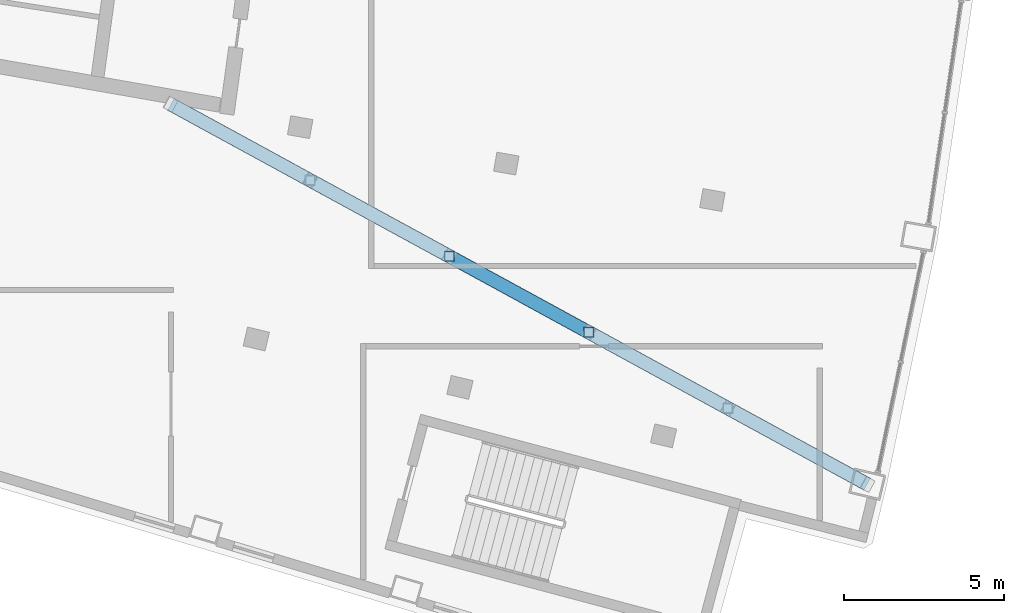
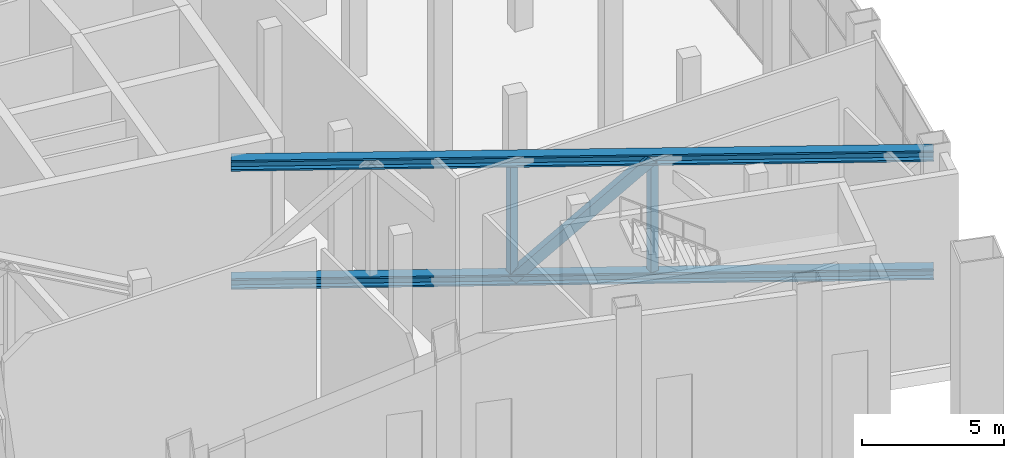
# One storey, part 7 of 25: 5 members.
"""IFC4 building model written with IfcOpenShell, lengths in metres."""

from ifc_helpers import new_model, si_unit, direction, frame, origin, origin_2d, place, context, subcontext, project, spatial, hollow_rectangle, i_section, extrude, material, material_profile, profile_set, type_object, element, save


model = new_model("IFC4")

# Units and contexts
model_context = context("Model", 3, precision=1e-05, world=origin(), true_north=direction((0.0, 1.0)))
body_context = subcontext(model_context, "Body", "Model", "MODEL_VIEW")
ifc_project = project(units=[si_unit("LENGTHUNIT", "METRE"), si_unit("AREAUNIT", "SQUARE_METRE"), si_unit("VOLUMEUNIT", "CUBIC_METRE"), si_unit("PLANEANGLEUNIT", "RADIAN"), si_unit("MASSUNIT", "GRAM", prefix="KILO")], contexts=[model_context])

# Site, building, storey
site_placement = place(None, origin())
site = spatial("IfcSite", under=ifc_project, at=site_placement, CompositionType="ELEMENT")
building_placement = place(site_placement, origin())
building = spatial("IfcBuilding", under=site, at=building_placement, Name="Alderwake Tower", CompositionType="ELEMENT")
storey_placement = place(building_placement, frame((0.0, 0.0, 296.0)))
storey = spatial("IfcBuildingStorey", under=building, at=storey_placement, Name="L73", CompositionType="ELEMENT", Elevation=296.0)

# Members
ifc_material_1 = material(Name="Steel ASTM A992 Grade 50", Category="steel")
ifc_material_profile_1 = material_profile(ifc_material_1, i_section(OverallWidth=0.42138671875, OverallDepth=0.464599609375, WebThickness=0.044921875, FlangeThickness=0.072265625, at=origin_2d()), Name="W14X398")
ifc_profile_set_1 = profile_set([ifc_material_profile_1], Name="Steel ASTM A992 Grade 50")
member_type_1 = type_object("IfcMemberType", Name="Outrigger truss chord W14X398", PredefinedType="CHORD", material=ifc_profile_set_1)
for number, where, z_axis, x_axis, name in (
    (1, (29.993896484375, 41.552001953125, 7.86767578125), (0.877845830227, -0.478943314342, 0.0), (0.478943314342, 0.877845830227, 0.0), "Outrigger truss chord DT73SF.T"),
    (2, (29.993896484375, 41.552001953125, 2.7822265625), (0.877845830227, -0.478943314342, 0.0), (0.478943314342, 0.877845830227, 0.0), "Outrigger truss chord DT73SF.B"),
):
    element("IfcMember", number, at=place(storey_placement, frame(where, z_axis=z_axis, x_axis=x_axis)), inside=storey, type_object=member_type_1, Name=name, PredefinedType="CHORD", context=body_context, shape_type="SweptSolid", body=[
        extrude(i_section(OverallWidth=0.42138671875, OverallDepth=0.464599609375, WebThickness=0.044921875, FlangeThickness=0.072265625, at=origin_2d()), origin(), (0.0, 0.0, 1.0), 24.761474609375),
    ])
ifc_material_2 = material(Name="Steel ASTM A500 Grade C", Category="steel")
ifc_material_profile_2 = material_profile(ifc_material_2, hollow_rectangle(XDim=0.406494140625, YDim=0.406494140625, WallThickness=0.014892578125, at=origin_2d()), Name="HSS16X16X5/8")
ifc_profile_set_2 = profile_set([ifc_material_profile_2], Name="Steel ASTM A500 Grade C")
member_type_2 = type_object("IfcMemberType", Name="Outrigger truss diagonal HSS16X16X5/8", PredefinedType="BRACE", material=ifc_profile_set_2)
member_placement = place(storey_placement, frame((38.688720703125, 36.808349609375, 2.7822265625), z_axis=(0.612442162249, -0.334165667906, 0.716413221746), x_axis=(0.478969559992, 0.877831510372, 0.0)))
element("IfcMember", 3, at=member_placement, inside=storey, type_object=member_type_2, Name="Outrigger truss diagonal DT73SF.D3", PredefinedType="BRACE", context=body_context, shape_type="SweptSolid", body=[
    extrude(hollow_rectangle(XDim=0.406494140625, YDim=0.406494140625, WallThickness=0.014892578125, at=origin_2d()), origin(), (0.0, 0.0, 1.0), 7.098388671875),
])
ifc_material_3 = material(Name="Steel ASTM A500 Grade C", Category="steel")
ifc_material_profile_3 = material_profile(ifc_material_3, hollow_rectangle(XDim=0.3046875, YDim=0.3046875, WallThickness=0.01171875, at=origin_2d()), Name="HSS12X12X1/2")
ifc_profile_set_3 = profile_set([ifc_material_profile_3], Name="Steel ASTM A500 Grade C")
member_type_3 = type_object("IfcMemberType", Name="Outrigger truss post HSS12X12X1/2", PredefinedType="POST", material=ifc_profile_set_3)
for number, where, z_axis, x_axis, name in (
    (4, (38.688720703125, 36.808349609375, 3.0146484375), (0.0, 0.0, 1.0), (1.0, 0.0, 0.0), "Outrigger truss post DT73SF.P2"),
    (5, (43.0361328125, 34.436279296875, 3.0146484375), (0.0, 0.0, 1.0), (1.0, 0.0, 0.0), "Outrigger truss post DT73SF.P3"),
):
    element("IfcMember", number, at=place(storey_placement, frame(where, z_axis=z_axis, x_axis=x_axis)), inside=storey, type_object=member_type_3, Name=name, PredefinedType="POST", context=body_context, shape_type="SweptSolid", body=[
        extrude(hollow_rectangle(XDim=0.3046875, YDim=0.3046875, WallThickness=0.01171875, at=origin_2d()), origin(), (0.0, 0.0, 1.0), 4.620849609375),
    ])

save(model, "model.ifc")
